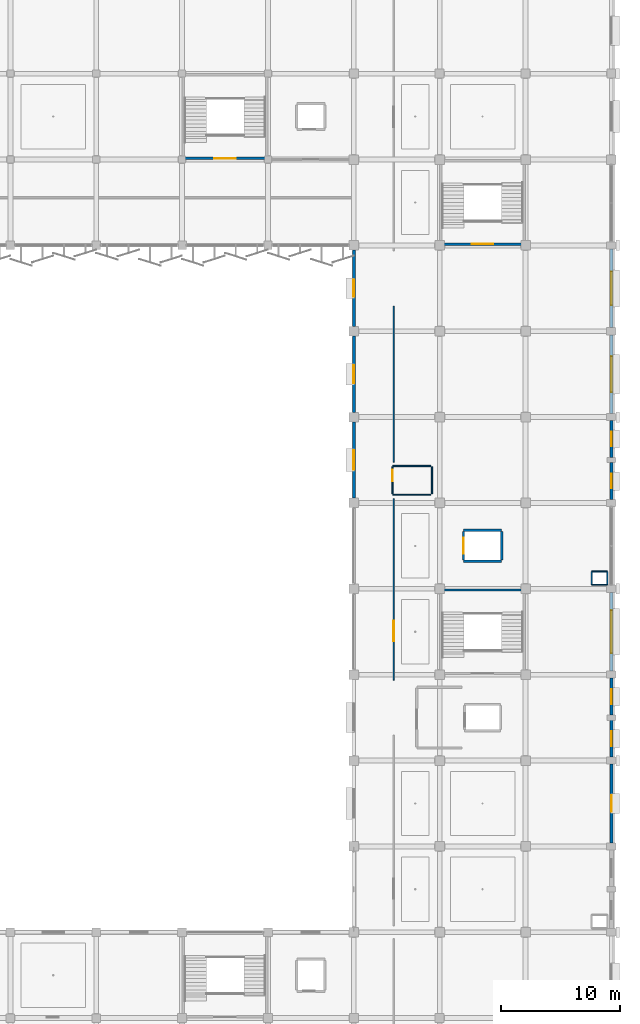
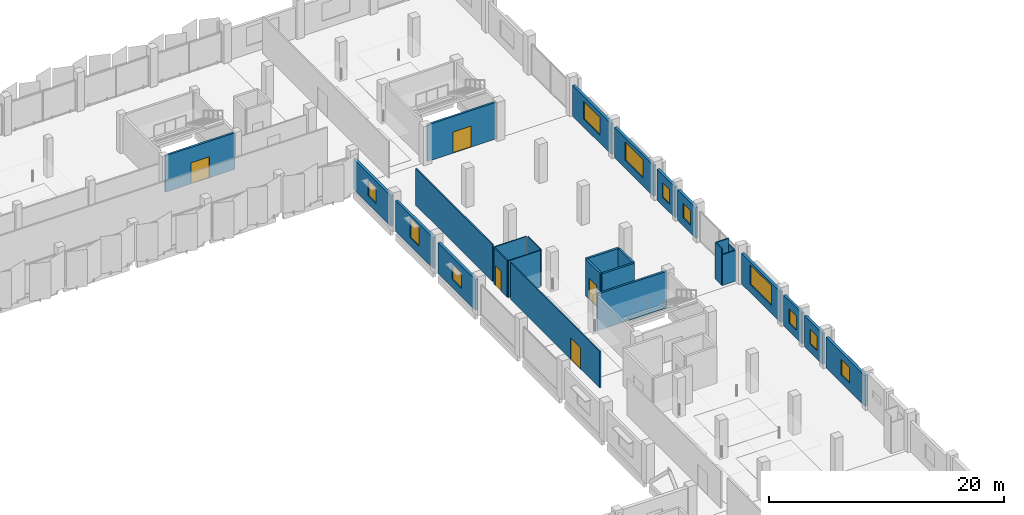
# One storey, part 84 of 107: 28 walls, 11 windows, 5 doors, 16 openings.
"""IFC4 building model written with IfcOpenShell, lengths in metres."""

from ifc_helpers import new_model, si_unit, direction, frame, frame_2d, origin, place, context, subcontext, project, spatial, rectangle, extrude, material, layer, layer_set, type_object, element, fill, save


model = new_model("IFC4")

# Units and contexts
model_context = context("Model", 3, precision=1e-05, world=origin(), true_north=direction((0.0, 1.0)))
body_context = subcontext(model_context, "Body", "Model", "MODEL_VIEW")
ifc_project = project(units=[si_unit("LENGTHUNIT", "METRE"), si_unit("AREAUNIT", "SQUARE_METRE"), si_unit("VOLUMEUNIT", "CUBIC_METRE"), si_unit("PLANEANGLEUNIT", "RADIAN"), si_unit("MASSUNIT", "GRAM", prefix="KILO")], contexts=[model_context])

# Site, building, storey
site_placement = place(None, origin())
site = spatial("IfcSite", under=ifc_project, at=site_placement, CompositionType="ELEMENT")
building_placement = place(site_placement, origin())
building = spatial("IfcBuilding", under=site, at=building_placement, Name="Kangsadwip Square Police Headquarters", CompositionType="ELEMENT")
storey_placement = place(building_placement, frame((0.0, 0.0, 5.39990234375)))
storey = spatial("IfcBuildingStorey", under=building, at=storey_placement, Name="L01", CompositionType="ELEMENT", Elevation=5.39990234375)

# Wall, opening, door
ifc_material_1 = material(Name="Fire-rated double gypsum board acoustic stud partition", Category="masonry")
ifc_layer_1 = layer(ifc_material_1, 0.1201171875)
ifc_layer_set_1 = layer_set([ifc_layer_1], Name="Fire-rated double gypsum board acoustic stud partition")
wall_type_1 = type_object("IfcWallType", Name="AcousticPartition120", PredefinedType="PARTITIONING", material=ifc_layer_set_1)
wall_1_placement = place(storey_placement, frame((147.35009765625, 57.14990234375, 0.0), z_axis=(0.0, 0.0, 1.0), x_axis=(0.0, 1.0, 0.0)))
wall_1 = element("IfcWall", 1, at=wall_1_placement, inside=storey, type_object=wall_type_1, Name="Interior Wall WI-L01-0742", PredefinedType="PARTITIONING", context=body_context, shape_type="SweptSolid", body=[
    extrude(rectangle(XDim=15.22021484375, YDim=0.1201171875, at=frame_2d((7.610107421875, 0.0))), origin(), (0.0, 0.0, 1.0), 3.81005859375),
])
opening_1_placement = place(wall_1_placement, frame((3.2548828125, 0.0, 0.0)))
opening_1 = element("IfcOpeningElement", 2, at=opening_1_placement, cuts=wall_1, Name="Opening ID-17", PredefinedType="OPENING", context=body_context, shape_type="SweptSolid", body=[
    extrude(rectangle(XDim=1.699951171875, YDim=2.199951171875, at=frame_2d((0.85009765625, 1.10009765625))), frame((0.0, 0.070068359375, 0.0), z_axis=(0.0, -1.0, 0.0), x_axis=(1.0, 0.0, 0.0)), (0.0, 0.0, 1.0), 0.14013671875),
])
ifc_material_2 = material(Name="Insulated galvanized steel fire-rated door assembly", Category="steel")
door_type_1 = type_object("IfcDoorType", Name="LabDoubleDoor1700x2200", OperationType="DOUBLE_DOOR_SINGLE_SWING", PredefinedType="DOOR", material=ifc_material_2)
door_1_placement = place(opening_1_placement, origin())
door_1 = element("IfcDoor", 3, at=door_1_placement, inside=storey, type_object=door_type_1, Name="Interior Door ID-L01-0171", OperationType="DOUBLE_DOOR_SINGLE_SWING", OverallHeight=2.199951171875, OverallWidth=1.699951171875, PredefinedType="DOOR", context=body_context, shape_type="SweptSolid", body=[
    extrude(rectangle(XDim=1.699951171875, YDim=2.199951171875, at=frame_2d((0.85009765625, 1.10009765625))), frame((0.0, 0.02490234375, 0.0), z_axis=(0.0, -1.0, 0.0), x_axis=(1.0, 0.0, 0.0)), (0.0, 0.0, 1.0), 0.050048828125),
])
fill(opening_1, door_1)

# Wall
wall_2_placement = place(storey_placement, frame((147.35009765625, 75.429931640625, 0.0), z_axis=(0.0, 0.0, 1.0), x_axis=(0.0, 1.0, 0.0)))
element("IfcWall", 4, at=wall_2_placement, inside=storey, type_object=wall_type_1, Name="Interior Wall WI-L01-0743", PredefinedType="PARTITIONING", context=body_context, shape_type="SweptSolid", body=[
    extrude(rectangle(XDim=13.070068359375, YDim=0.1201171875, at=frame_2d((6.53515625, 0.0))), origin(), (0.0, 0.0, 1.0), 3.81005859375),
])

# Wall, opening, window
ifc_material_3 = material(Name="Glazed architectural terracotta masonry rainscreen", Category="masonry")
ifc_layer_2 = layer(ifc_material_3, 0.25)
ifc_layer_set_2 = layer_set([ifc_layer_2], Name="Glazed architectural terracotta masonry rainscreen")
wall_type_2 = type_object("IfcWallType", Name="ChicagoTerracottaWall250", PredefinedType="SOLIDWALL", material=ifc_layer_set_2)
wall_3_placement = place(storey_placement, frame((144.0, 72.39501953125, 0.0), z_axis=(0.0, 0.0, 1.0), x_axis=(0.0, 1.0, 0.0)))
wall_3 = element("IfcWall", 5, at=wall_3_placement, inside=storey, type_object=wall_type_2, Name="Exterior Wall WE-L01-276", PredefinedType="SOLIDWALL", context=body_context, shape_type="SweptSolid", body=[
    extrude(rectangle(XDim=6.409912109375, YDim=0.25, at=frame_2d((3.205078125, 0.0))), origin(), (0.0, 0.0, 1.0), 3.195068359375),
])
opening_2_placement = place(wall_3_placement, frame((2.3798828125, 0.0, 0.85009765625)))
opening_2 = element("IfcOpeningElement", 6, at=opening_2_placement, cuts=wall_3, Name="Opening WN-11", PredefinedType="OPENING", context=body_context, shape_type="SweptSolid", body=[
    extrude(rectangle(XDim=1.64990234375, YDim=1.550048828125, at=frame_2d((0.824951171875, 0.77490234375))), frame((0.0, 0.135009765625, 0.0), z_axis=(0.0, -1.0, 0.0), x_axis=(1.0, 0.0, 0.0)), (0.0, 0.0, 1.0), 0.27001953125),
])
ifc_material_4 = material(Name="Double-glazed solar-control low-E safety glass", Category="glass")
window_type_1 = type_object("IfcWindowType", Name="LabCleanViewWin1650x1550", PartitioningType="SINGLE_PANEL", PredefinedType="WINDOW", material=ifc_material_4)
window_1_placement = place(opening_2_placement, origin())
window_1 = element("IfcWindow", 7, at=window_1_placement, inside=storey, type_object=window_type_1, Name="Window WN-L01-0129", OverallHeight=1.550048828125, OverallWidth=1.64990234375, PartitioningType="SINGLE_PANEL", PredefinedType="WINDOW", context=body_context, shape_type="SweptSolid", body=[
    extrude(rectangle(XDim=1.64990234375, YDim=1.550048828125, at=frame_2d((0.824951171875, 0.77490234375))), frame((0.0, 0.030029296875, 0.0), z_axis=(0.0, -1.0, 0.0), x_axis=(1.0, 0.0, 0.0)), (0.0, 0.0, 1.0), 0.06005859375),
])
fill(opening_2, window_1)

wall_4_placement = place(storey_placement, frame((144.0, 79.594970703125, 0.0), z_axis=(0.0, 0.0, 1.0), x_axis=(0.0, 1.0, 0.0)))
wall_4 = element("IfcWall", 8, at=wall_4_placement, inside=storey, type_object=wall_type_2, Name="Exterior Wall WE-L01-277", PredefinedType="SOLIDWALL", context=body_context, shape_type="SweptSolid", body=[
    extrude(rectangle(XDim=6.409912109375, YDim=0.25, at=frame_2d((3.205078125, 0.0))), origin(), (0.0, 0.0, 1.0), 3.195068359375),
])
opening_3_placement = place(wall_4_placement, frame((2.455078125, 0.0, 0.85009765625)))
opening_3 = element("IfcOpeningElement", 9, at=opening_3_placement, cuts=wall_4, Name="Opening WN-12", PredefinedType="OPENING", context=body_context, shape_type="SweptSolid", body=[
    extrude(rectangle(XDim=1.5, YDim=2.050048828125, at=frame_2d((0.75, 1.02490234375))), frame((0.0, 0.135009765625, 0.0), z_axis=(0.0, -1.0, 0.0), x_axis=(1.0, 0.0, 0.0)), (0.0, 0.0, 1.0), 0.27001953125),
])
ifc_material_5 = material(Name="Double-glazed solar-control low-E safety glass", Category="glass")
window_type_2 = type_object("IfcWindowType", Name="DirectorateTallWin1500x2050", PartitioningType="SINGLE_PANEL", PredefinedType="WINDOW", material=ifc_material_5)
window_2_placement = place(opening_3_placement, origin())
window_2 = element("IfcWindow", 10, at=window_2_placement, inside=storey, type_object=window_type_2, Name="Window WN-L01-0130", OverallHeight=2.050048828125, OverallWidth=1.5, PartitioningType="SINGLE_PANEL", PredefinedType="WINDOW", context=body_context, shape_type="SweptSolid", body=[
    extrude(rectangle(XDim=1.5, YDim=2.050048828125, at=frame_2d((0.75, 1.02490234375))), frame((0.0, 0.030029296875, 0.0), z_axis=(0.0, -1.0, 0.0), x_axis=(1.0, 0.0, 0.0)), (0.0, 0.0, 1.0), 0.06005859375),
])
fill(opening_3, window_2)

wall_5_placement = place(storey_placement, frame((144.0, 86.794921875, 0.0), z_axis=(0.0, 0.0, 1.0), x_axis=(0.0, 1.0, 0.0)))
wall_5 = element("IfcWall", 11, at=wall_5_placement, inside=storey, type_object=wall_type_2, Name="Exterior Wall WE-L01-278", PredefinedType="SOLIDWALL", context=body_context, shape_type="SweptSolid", body=[
    extrude(rectangle(XDim=6.41015625, YDim=0.25, at=frame_2d((3.205078125, 0.0))), origin(), (0.0, 0.0, 1.0), 3.195068359375),
])
opening_4_placement = place(wall_5_placement, frame((2.5048828125, 0.0, 0.85009765625)))
opening_4 = element("IfcOpeningElement", 12, at=opening_4_placement, cuts=wall_5, Name="Opening WN-13", PredefinedType="OPENING", context=body_context, shape_type="SweptSolid", body=[
    extrude(rectangle(XDim=1.39990234375, YDim=1.60009765625, at=frame_2d((0.699951171875, 0.800048828125))), frame((0.0, 0.135009765625, 0.0), z_axis=(0.0, -1.0, 0.0), x_axis=(1.0, 0.0, 0.0)), (0.0, 0.0, 1.0), 0.27001953125),
])
ifc_material_6 = material(Name="Double-glazed solar-control low-E safety glass", Category="glass")
window_type_3 = type_object("IfcWindowType", Name="OfficeCasementWin1400x1600", PartitioningType="SINGLE_PANEL", PredefinedType="WINDOW", material=ifc_material_6)
window_3_placement = place(opening_4_placement, origin())
window_3 = element("IfcWindow", 13, at=window_3_placement, inside=storey, type_object=window_type_3, Name="Window WN-L01-0131", OverallHeight=1.60009765625, OverallWidth=1.39990234375, PartitioningType="SINGLE_PANEL", PredefinedType="WINDOW", context=body_context, shape_type="SweptSolid", body=[
    extrude(rectangle(XDim=1.39990234375, YDim=1.60009765625, at=frame_2d((0.699951171875, 0.800048828125))), frame((0.0, 0.030029296875, 0.0), z_axis=(0.0, -1.0, 0.0), x_axis=(1.0, 0.0, 0.0)), (0.0, 0.0, 1.0), 0.06005859375),
])
fill(opening_4, window_3)

wall_6_placement = place(storey_placement, frame((165.60009765625, 43.4951171875, 0.0), z_axis=(0.0, 0.0, 1.0), x_axis=(0.0, 1.0, 0.0)))
wall_6 = element("IfcWall", 14, at=wall_6_placement, inside=storey, type_object=wall_type_2, Name="Exterior Wall WE-L01-283", PredefinedType="SOLIDWALL", context=body_context, shape_type="SweptSolid", body=[
    extrude(rectangle(XDim=6.60986328125, YDim=0.25, at=frame_2d((3.304931640625, 0.0))), origin(), (0.0, 0.0, 1.0), 3.195068359375),
])
opening_5_placement = place(wall_6_placement, frame((2.60498046875, 0.0, 0.85009765625)))
opening_5 = element("IfcOpeningElement", 15, at=opening_5_placement, cuts=wall_6, Name="Opening WN-13", PredefinedType="OPENING", context=body_context, shape_type="SweptSolid", body=[
    extrude(rectangle(XDim=1.39990234375, YDim=1.60009765625, at=frame_2d((0.699951171875, 0.800048828125))), frame((0.0, 0.135009765625, 0.0), z_axis=(0.0, -1.0, 0.0), x_axis=(1.0, 0.0, 0.0)), (0.0, 0.0, 1.0), 0.27001953125),
])
window_4_placement = place(opening_5_placement, origin())
window_4 = element("IfcWindow", 16, at=window_4_placement, inside=storey, type_object=window_type_3, Name="Window WN-L01-0136", OverallHeight=1.60009765625, OverallWidth=1.39990234375, PartitioningType="SINGLE_PANEL", PredefinedType="WINDOW", context=body_context, shape_type="SweptSolid", body=[
    extrude(rectangle(XDim=1.39990234375, YDim=1.60009765625, at=frame_2d((0.699951171875, 0.800048828125))), frame((0.0, 0.030029296875, 0.0), z_axis=(0.0, -1.0, 0.0), x_axis=(1.0, 0.0, 0.0)), (0.0, 0.0, 1.0), 0.06005859375),
])
fill(opening_5, window_4)

wall_7_placement = place(storey_placement, frame((165.60009765625, 50.695068359375, 0.0), z_axis=(0.0, 0.0, 1.0), x_axis=(0.0, 1.0, 0.0)))
wall_7 = element("IfcWall", 17, at=wall_7_placement, inside=storey, type_object=wall_type_2, Name="Exterior Wall WE-L01-284", PredefinedType="SOLIDWALL", context=body_context, shape_type="SweptSolid", body=[
    extrude(rectangle(XDim=3.0849609375, YDim=0.25, at=frame_2d((1.54248046875, 0.0))), origin(), (0.0, 0.0, 1.0), 3.195068359375),
])
opening_6_placement = place(wall_7_placement, frame((0.91748046875, 0.0, 0.85009765625)))
opening_6 = element("IfcOpeningElement", 18, at=opening_6_placement, cuts=wall_7, Name="Opening WN-14", PredefinedType="OPENING", context=body_context, shape_type="SweptSolid", body=[
    extrude(rectangle(XDim=1.25, YDim=1.5, at=frame_2d((0.625, 0.75))), frame((0.0, 0.135009765625, 0.0), z_axis=(0.0, -1.0, 0.0), x_axis=(1.0, 0.0, 0.0)), (0.0, 0.0, 1.0), 0.27001953125),
])
ifc_material_7 = material(Name="Double-glazed solar-control low-E safety glass", Category="glass")
window_type_4 = type_object("IfcWindowType", Name="OfficeCasementWin1250x1500", PartitioningType="SINGLE_PANEL", PredefinedType="WINDOW", material=ifc_material_7)
window_5_placement = place(opening_6_placement, origin())
window_5 = element("IfcWindow", 19, at=window_5_placement, inside=storey, type_object=window_type_4, Name="Window WN-L01-0137", OverallHeight=1.5, OverallWidth=1.25, PartitioningType="SINGLE_PANEL", PredefinedType="WINDOW", context=body_context, shape_type="SweptSolid", body=[
    extrude(rectangle(XDim=1.25, YDim=1.5, at=frame_2d((0.625, 0.75))), frame((0.0, 0.030029296875, 0.0), z_axis=(0.0, -1.0, 0.0), x_axis=(1.0, 0.0, 0.0)), (0.0, 0.0, 1.0), 0.06005859375),
])
fill(opening_6, window_5)

wall_8_placement = place(storey_placement, frame((165.60009765625, 54.219970703125, 0.0), z_axis=(0.0, 0.0, 1.0), x_axis=(0.0, 1.0, 0.0)))
wall_8 = element("IfcWall", 20, at=wall_8_placement, inside=storey, type_object=wall_type_2, Name="Exterior Wall WE-L01-285", PredefinedType="SOLIDWALL", context=body_context, shape_type="SweptSolid", body=[
    extrude(rectangle(XDim=3.0849609375, YDim=0.25, at=frame_2d((1.54248046875, 0.0))), origin(), (0.0, 0.0, 1.0), 3.195068359375),
])
opening_7_placement = place(wall_8_placement, frame((0.91748046875, 0.0, 0.85009765625)))
opening_7 = element("IfcOpeningElement", 21, at=opening_7_placement, cuts=wall_8, Name="Opening WN-14", PredefinedType="OPENING", context=body_context, shape_type="SweptSolid", body=[
    extrude(rectangle(XDim=1.25, YDim=1.5, at=frame_2d((0.625, 0.75))), frame((0.0, 0.135009765625, 0.0), z_axis=(0.0, -1.0, 0.0), x_axis=(1.0, 0.0, 0.0)), (0.0, 0.0, 1.0), 0.27001953125),
])
window_6_placement = place(opening_7_placement, origin())
window_6 = element("IfcWindow", 22, at=window_6_placement, inside=storey, type_object=window_type_4, Name="Window WN-L01-0138", OverallHeight=1.5, OverallWidth=1.25, PartitioningType="SINGLE_PANEL", PredefinedType="WINDOW", context=body_context, shape_type="SweptSolid", body=[
    extrude(rectangle(XDim=1.25, YDim=1.5, at=frame_2d((0.625, 0.75))), frame((0.0, 0.030029296875, 0.0), z_axis=(0.0, -1.0, 0.0), x_axis=(1.0, 0.0, 0.0)), (0.0, 0.0, 1.0), 0.06005859375),
])
fill(opening_7, window_6)

wall_9_placement = place(storey_placement, frame((165.60009765625, 57.89501953125, 0.0), z_axis=(0.0, 0.0, 1.0), x_axis=(0.0, 1.0, 0.0)))
wall_9 = element("IfcWall", 23, at=wall_9_placement, inside=storey, type_object=wall_type_2, Name="Exterior Wall WE-L01-286", PredefinedType="SOLIDWALL", context=body_context, shape_type="SweptSolid", body=[
    extrude(rectangle(XDim=6.60986328125, YDim=0.25, at=frame_2d((3.304931640625, 0.0))), origin(), (0.0, 0.0, 1.0), 3.195068359375),
])
opening_8_placement = place(wall_9_placement, frame((1.5048828125, 0.0, 0.85009765625)))
opening_8 = element("IfcOpeningElement", 24, at=opening_8_placement, cuts=wall_9, Name="Opening WN-01", PredefinedType="OPENING", context=body_context, shape_type="SweptSolid", body=[
    extrude(rectangle(XDim=3.60009765625, YDim=2.050048828125, at=frame_2d((1.800048828125, 1.02490234375))), frame((0.0, 0.135009765625, 0.0), z_axis=(0.0, -1.0, 0.0), x_axis=(1.0, 0.0, 0.0)), (0.0, 0.0, 1.0), 0.27001953125),
])
ifc_material_8 = material(Name="Double-glazed solar-control low-E safety glass", Category="glass")
window_type_5 = type_object("IfcWindowType", Name="ChicagoTripartiteWin3600x2050", PartitioningType="TRIPLE_PANEL_HORIZONTAL", PredefinedType="WINDOW", material=ifc_material_8)
window_7_placement = place(opening_8_placement, origin())
window_7 = element("IfcWindow", 25, at=window_7_placement, inside=storey, type_object=window_type_5, Name="Window WN-L01-0139", OverallHeight=2.050048828125, OverallWidth=3.60009765625, PartitioningType="SINGLE_PANEL", PredefinedType="WINDOW", context=body_context, shape_type="SweptSolid", body=[
    extrude(rectangle(XDim=3.60009765625, YDim=2.050048828125, at=frame_2d((1.800048828125, 1.02490234375))), frame((0.0, 0.030029296875, 0.0), z_axis=(0.0, -1.0, 0.0), x_axis=(1.0, 0.0, 0.0)), (0.0, 0.0, 1.0), 0.06005859375),
])
fill(opening_8, window_7)

wall_10_placement = place(storey_placement, frame((165.60009765625, 72.294921875, 0.0), z_axis=(0.0, 0.0, 1.0), x_axis=(0.0, 1.0, 0.0)))
wall_10 = element("IfcWall", 26, at=wall_10_placement, inside=storey, type_object=wall_type_2, Name="Exterior Wall WE-L01-287", PredefinedType="SOLIDWALL", context=body_context, shape_type="SweptSolid", body=[
    extrude(rectangle(XDim=3.0849609375, YDim=0.25, at=frame_2d((1.54248046875, 0.0))), origin(), (0.0, 0.0, 1.0), 3.195068359375),
])
opening_9_placement = place(wall_10_placement, frame((0.91748046875, 0.0, 0.85009765625)))
opening_9 = element("IfcOpeningElement", 27, at=opening_9_placement, cuts=wall_10, Name="Opening WN-14", PredefinedType="OPENING", context=body_context, shape_type="SweptSolid", body=[
    extrude(rectangle(XDim=1.25, YDim=1.5, at=frame_2d((0.625, 0.75))), frame((0.0, 0.135009765625, 0.0), z_axis=(0.0, -1.0, 0.0), x_axis=(1.0, 0.0, 0.0)), (0.0, 0.0, 1.0), 0.27001953125),
])
window_8_placement = place(opening_9_placement, origin())
window_8 = element("IfcWindow", 28, at=window_8_placement, inside=storey, type_object=window_type_4, Name="Window WN-L01-0140", OverallHeight=1.5, OverallWidth=1.25, PartitioningType="SINGLE_PANEL", PredefinedType="WINDOW", context=body_context, shape_type="SweptSolid", body=[
    extrude(rectangle(XDim=1.25, YDim=1.5, at=frame_2d((0.625, 0.75))), frame((0.0, 0.030029296875, 0.0), z_axis=(0.0, -1.0, 0.0), x_axis=(1.0, 0.0, 0.0)), (0.0, 0.0, 1.0), 0.06005859375),
])
fill(opening_9, window_8)

wall_11_placement = place(storey_placement, frame((165.60009765625, 75.820068359375, 0.0), z_axis=(0.0, 0.0, 1.0), x_axis=(0.0, 1.0, 0.0)))
wall_11 = element("IfcWall", 29, at=wall_11_placement, inside=storey, type_object=wall_type_2, Name="Exterior Wall WE-L01-288", PredefinedType="SOLIDWALL", context=body_context, shape_type="SweptSolid", body=[
    extrude(rectangle(XDim=3.0849609375, YDim=0.25, at=frame_2d((1.54248046875, 0.0))), origin(), (0.0, 0.0, 1.0), 3.195068359375),
])
opening_10_placement = place(wall_11_placement, frame((0.91748046875, 0.0, 0.85009765625)))
opening_10 = element("IfcOpeningElement", 30, at=opening_10_placement, cuts=wall_11, Name="Opening WN-14", PredefinedType="OPENING", context=body_context, shape_type="SweptSolid", body=[
    extrude(rectangle(XDim=1.25, YDim=1.5, at=frame_2d((0.625, 0.75))), frame((0.0, 0.135009765625, 0.0), z_axis=(0.0, -1.0, 0.0), x_axis=(1.0, 0.0, 0.0)), (0.0, 0.0, 1.0), 0.27001953125),
])
window_9_placement = place(opening_10_placement, origin())
window_9 = element("IfcWindow", 31, at=window_9_placement, inside=storey, type_object=window_type_4, Name="Window WN-L01-0141", OverallHeight=1.5, OverallWidth=1.25, PartitioningType="SINGLE_PANEL", PredefinedType="WINDOW", context=body_context, shape_type="SweptSolid", body=[
    extrude(rectangle(XDim=1.25, YDim=1.5, at=frame_2d((0.625, 0.75))), frame((0.0, 0.030029296875, 0.0), z_axis=(0.0, -1.0, 0.0), x_axis=(1.0, 0.0, 0.0)), (0.0, 0.0, 1.0), 0.06005859375),
])
fill(opening_10, window_9)

wall_12_placement = place(storey_placement, frame((165.60009765625, 79.4951171875, 0.0), z_axis=(0.0, 0.0, 1.0), x_axis=(0.0, 1.0, 0.0)))
wall_12 = element("IfcWall", 32, at=wall_12_placement, inside=storey, type_object=wall_type_2, Name="Exterior Wall WE-L01-289", PredefinedType="SOLIDWALL", context=body_context, shape_type="SweptSolid", body=[
    extrude(rectangle(XDim=6.60986328125, YDim=0.25, at=frame_2d((3.304931640625, 0.0))), origin(), (0.0, 0.0, 1.0), 3.195068359375),
])
opening_11_placement = place(wall_12_placement, frame((1.804931640625, 0.0, 0.85009765625)))
opening_11 = element("IfcOpeningElement", 33, at=opening_11_placement, cuts=wall_12, Name="Opening WN-04", PredefinedType="OPENING", context=body_context, shape_type="SweptSolid", body=[
    extrude(rectangle(XDim=3.0, YDim=1.89990234375, at=frame_2d((1.5, 0.949951171875))), frame((0.0, 0.135009765625, 0.0), z_axis=(0.0, -1.0, 0.0), x_axis=(1.0, 0.0, 0.0)), (0.0, 0.0, 1.0), 0.27001953125),
])
ifc_material_9 = material(Name="Double-glazed solar-control low-E safety glass", Category="glass")
window_type_6 = type_object("IfcWindowType", Name="ChicagoTripartiteWin3000x1900", PartitioningType="TRIPLE_PANEL_HORIZONTAL", PredefinedType="WINDOW", material=ifc_material_9)
window_10_placement = place(opening_11_placement, origin())
window_10 = element("IfcWindow", 34, at=window_10_placement, inside=storey, type_object=window_type_6, Name="Window WN-L01-0142", OverallHeight=1.89990234375, OverallWidth=3.0, PartitioningType="SINGLE_PANEL", PredefinedType="WINDOW", context=body_context, shape_type="SweptSolid", body=[
    extrude(rectangle(XDim=3.0, YDim=1.89990234375, at=frame_2d((1.5, 0.949951171875))), frame((0.0, 0.030029296875, 0.0), z_axis=(0.0, -1.0, 0.0), x_axis=(1.0, 0.0, 0.0)), (0.0, 0.0, 1.0), 0.06005859375),
])
fill(opening_11, window_10)

wall_13_placement = place(storey_placement, frame((165.60009765625, 86.695068359375, 0.0), z_axis=(0.0, 0.0, 1.0), x_axis=(0.0, 1.0, 0.0)))
wall_13 = element("IfcWall", 35, at=wall_13_placement, inside=storey, type_object=wall_type_2, Name="Exterior Wall WE-L01-290", PredefinedType="SOLIDWALL", context=body_context, shape_type="SweptSolid", body=[
    extrude(rectangle(XDim=6.60986328125, YDim=0.25, at=frame_2d((3.304931640625, 0.0))), origin(), (0.0, 0.0, 1.0), 3.195068359375),
])
opening_12_placement = place(wall_13_placement, frame((1.905029296875, 0.0, 0.85009765625)))
opening_12 = element("IfcOpeningElement", 36, at=opening_12_placement, cuts=wall_13, Name="Opening WN-05", PredefinedType="OPENING", context=body_context, shape_type="SweptSolid", body=[
    extrude(rectangle(XDim=2.800048828125, YDim=1.85009765625, at=frame_2d((1.39990234375, 0.925048828125))), frame((0.0, 0.135009765625, 0.0), z_axis=(0.0, -1.0, 0.0), x_axis=(1.0, 0.0, 0.0)), (0.0, 0.0, 1.0), 0.27001953125),
])
ifc_material_10 = material(Name="Double-glazed solar-control low-E safety glass", Category="glass")
window_type_7 = type_object("IfcWindowType", Name="ChicagoDoubleMullWin2800x1850", PartitioningType="DOUBLE_PANEL_VERTICAL", PredefinedType="WINDOW", material=ifc_material_10)
window_11_placement = place(opening_12_placement, origin())
window_11 = element("IfcWindow", 37, at=window_11_placement, inside=storey, type_object=window_type_7, Name="Window WN-L01-0143", OverallHeight=1.85009765625, OverallWidth=2.800048828125, PartitioningType="SINGLE_PANEL", PredefinedType="WINDOW", context=body_context, shape_type="SweptSolid", body=[
    extrude(rectangle(XDim=2.800048828125, YDim=1.85009765625, at=frame_2d((1.39990234375, 0.925048828125))), frame((0.0, 0.030029296875, 0.0), z_axis=(0.0, -1.0, 0.0), x_axis=(1.0, 0.0, 0.0)), (0.0, 0.0, 1.0), 0.06005859375),
])
fill(opening_12, window_11)

# Wall
ifc_material_11 = material(Name="Concrete M40 (40 MPa)", Category="concrete")
ifc_layer_3 = layer(ifc_material_11, 0.199951171875)
ifc_layer_set_3 = layer_set([ifc_layer_3], Name="Concrete M40 (40 MPa)")
wall_type_3 = type_object("IfcWallType", Name="CoreShearWall200", PredefinedType="SHEAR", material=ifc_layer_set_3)
wall_14_placement = place(storey_placement, frame((151.39990234375, 64.699951171875, 0.0), z_axis=(0.0, 0.0, 1.0), x_axis=(1.0, 0.0, 0.0)))
element("IfcWall", 38, at=wall_14_placement, inside=storey, type_object=wall_type_3, Name="Interior Wall WI-L01-0098", PredefinedType="SHEAR", context=body_context, shape_type="SweptSolid", body=[
    extrude(rectangle(XDim=6.800048828125, YDim=0.199951171875, at=frame_2d((3.39990234375, 0.0))), origin(), (0.0, 0.0, 1.0), 3.81005859375),
])

# Wall, opening, door
wall_15_placement = place(storey_placement, frame((151.39990234375, 93.699951171875, 0.0), z_axis=(0.0, 0.0, 1.0), x_axis=(1.0, 0.0, 0.0)))
wall_15 = element("IfcWall", 39, at=wall_15_placement, inside=storey, type_object=wall_type_3, Name="Interior Wall WI-L01-0133", PredefinedType="SHEAR", context=body_context, shape_type="SweptSolid", body=[
    extrude(rectangle(XDim=6.800048828125, YDim=0.199951171875, at=frame_2d((3.39990234375, 0.0))), origin(), (0.0, 0.0, 1.0), 3.81005859375),
])
opening_13_placement = place(wall_15_placement, frame((2.5, 0.0, 0.0)))
opening_13 = element("IfcOpeningElement", 40, at=opening_13_placement, cuts=wall_15, Name="Opening FD-18", PredefinedType="OPENING", context=body_context, shape_type="SweptSolid", body=[
    extrude(rectangle(XDim=1.800048828125, YDim=2.199951171875, at=frame_2d((0.89990234375, 1.10009765625))), frame((0.0, 0.10986328125, 0.0), z_axis=(0.0, -1.0, 0.0), x_axis=(1.0, 0.0, 0.0)), (0.0, 0.0, 1.0), 0.219970703125),
])
ifc_material_12 = material(Name="Insulated galvanized steel fire-rated door assembly", Category="steel")
door_type_2 = type_object("IfcDoorType", Name="StairFireDoor1800x2200", OperationType="DOUBLE_DOOR_SINGLE_SWING", PredefinedType="DOOR", material=ifc_material_12)
door_2_placement = place(opening_13_placement, origin())
door_2 = element("IfcDoor", 41, at=door_2_placement, inside=storey, type_object=door_type_2, Name="Interior Door ID-L01-0030", OperationType="DOUBLE_DOOR_SINGLE_SWING", OverallHeight=2.199951171875, OverallWidth=1.800048828125, PredefinedType="DOOR", context=body_context, shape_type="SweptSolid", body=[
    extrude(rectangle(XDim=1.800048828125, YDim=2.199951171875, at=frame_2d((0.89990234375, 1.10009765625))), frame((0.0, 0.02490234375, 0.0), z_axis=(0.0, -1.0, 0.0), x_axis=(1.0, 0.0, 0.0)), (0.0, 0.0, 1.0), 0.050048828125),
])
fill(opening_13, door_2)

wall_16_placement = place(storey_placement, frame((129.800048828125, 100.89990234375, 0.0), z_axis=(0.0, 0.0, 1.0), x_axis=(1.0, 0.0, 0.0)))
wall_16 = element("IfcWall", 42, at=wall_16_placement, inside=storey, type_object=wall_type_3, Name="Interior Wall WI-L01-0161", PredefinedType="SHEAR", context=body_context, shape_type="SweptSolid", body=[
    extrude(rectangle(XDim=6.800048828125, YDim=0.199951171875, at=frame_2d((3.39990234375, 0.0))), origin(), (0.0, 0.0, 1.0), 3.81005859375),
])
opening_14_placement = place(wall_16_placement, frame((2.5, 0.0, 0.0)))
opening_14 = element("IfcOpeningElement", 43, at=opening_14_placement, cuts=wall_16, Name="Opening FD-18", PredefinedType="OPENING", context=body_context, shape_type="SweptSolid", body=[
    extrude(rectangle(XDim=1.800048828125, YDim=2.199951171875, at=frame_2d((0.89990234375, 1.10009765625))), frame((0.0, 0.10986328125, 0.0), z_axis=(0.0, -1.0, 0.0), x_axis=(1.0, 0.0, 0.0)), (0.0, 0.0, 1.0), 0.219970703125),
])
door_3_placement = place(opening_14_placement, origin())
door_3 = element("IfcDoor", 44, at=door_3_placement, inside=storey, type_object=door_type_2, Name="Interior Door ID-L01-0036", OperationType="DOUBLE_DOOR_SINGLE_SWING", OverallHeight=2.199951171875, OverallWidth=1.800048828125, PredefinedType="DOOR", context=body_context, shape_type="SweptSolid", body=[
    extrude(rectangle(XDim=1.800048828125, YDim=2.199951171875, at=frame_2d((0.89990234375, 1.10009765625))), frame((0.0, 0.02490234375, 0.0), z_axis=(0.0, -1.0, 0.0), x_axis=(1.0, 0.0, 0.0)), (0.0, 0.0, 1.0), 0.050048828125),
])
fill(opening_14, door_3)

# Walls
for number, where, z_axis, x_axis, name in (
    (45, (153.199951171875, 67.10009765625, 0.0), (0.0, 0.0, 1.0), (1.0, 0.0, 0.0), "Interior Wall WI-L01-0435"),
    (46, (153.199951171875, 69.699951171875, 0.0), (0.0, 0.0, 1.0), (1.0, 0.0, 0.0), "Interior Wall WI-L01-0436"),
):
    element("IfcWall", number, at=place(storey_placement, frame(where, z_axis=z_axis, x_axis=x_axis)), inside=storey, type_object=wall_type_3, Name=name, PredefinedType="SHEAR", context=body_context, shape_type="SweptSolid", body=[
        extrude(rectangle(XDim=3.199951171875, YDim=0.199951171875, at=frame_2d((1.60009765625, 0.0))), origin(), (0.0, 0.0, 1.0), 3.81005859375),
    ])

# Wall, opening, door
wall_17_placement = place(storey_placement, frame((153.199951171875, 67.199951171875, 0.0), z_axis=(0.0, 0.0, 1.0), x_axis=(0.0, 1.0, 0.0)))
wall_17 = element("IfcWall", 47, at=wall_17_placement, inside=storey, type_object=wall_type_3, Name="Interior Wall WI-L01-0437", PredefinedType="SHEAR", context=body_context, shape_type="SweptSolid", body=[
    extrude(rectangle(XDim=2.400146484375, YDim=0.199951171875, at=frame_2d((1.2001953125, 0.0))), origin(), (0.0, 0.0, 1.0), 3.81005859375),
])
opening_15_placement = place(wall_17_placement, frame((0.52490234375, 0.0, 0.0)))
opening_15 = element("IfcOpeningElement", 48, at=opening_15_placement, cuts=wall_17, Name="Opening LD-047", PredefinedType="OPENING", context=body_context, shape_type="SweptSolid", body=[
    extrude(rectangle(XDim=1.35009765625, YDim=2.199951171875, at=frame_2d((0.675048828125, 1.10009765625))), frame((0.0, 0.10986328125, 0.0), z_axis=(0.0, -1.0, 0.0), x_axis=(1.0, 0.0, 0.0)), (0.0, 0.0, 1.0), 0.219970703125),
])
ifc_material_13 = material(Name="Brushed stainless steel automatic sliding lift landing door", Category="steel")
door_type_3 = type_object("IfcDoorType", Name="LiftLandingDoor1350x2200", OperationType="DOUBLE_DOOR_SLIDING", PredefinedType="DOOR", material=ifc_material_13)
door_4_placement = place(opening_15_placement, origin())
door_4 = element("IfcDoor", 49, at=door_4_placement, inside=storey, type_object=door_type_3, Name="Interior Door LD-047", OperationType="DOUBLE_DOOR_SLIDING", OverallHeight=2.199951171875, OverallWidth=1.35009765625, PredefinedType="DOOR", context=body_context, shape_type="SweptSolid", body=[
    extrude(rectangle(XDim=1.35009765625, YDim=2.199951171875, at=frame_2d((0.675048828125, 1.10009765625))), frame((0.0, 0.02490234375, 0.0), z_axis=(0.0, -1.0, 0.0), x_axis=(1.0, 0.0, 0.0)), (0.0, 0.0, 1.0), 0.050048828125),
])
fill(opening_15, door_4)

# Walls
wall_18_placement = place(storey_placement, frame((156.39990234375, 67.199951171875, 0.0), z_axis=(0.0, 0.0, 1.0), x_axis=(0.0, 1.0, 0.0)))
element("IfcWall", 50, at=wall_18_placement, inside=storey, type_object=wall_type_3, Name="Interior Wall WI-L01-0438", PredefinedType="SHEAR", context=body_context, shape_type="SweptSolid", body=[
    extrude(rectangle(XDim=2.400146484375, YDim=0.199951171875, at=frame_2d((1.2001953125, 0.0))), origin(), (0.0, 0.0, 1.0), 3.81005859375),
])
ifc_material_14 = material(Name="Autoclaved aerated concrete blockwork masonry", Category="masonry")
ifc_layer_4 = layer(ifc_material_14, 0.10009765625)
ifc_layer_set_4 = layer_set([ifc_layer_4], Name="Autoclaved aerated concrete blockwork masonry")
wall_type_4 = type_object("IfcWallType", Name="WetWallPartition100", PredefinedType="PARTITIONING", material=ifc_layer_set_4)
wall_19_placement = place(storey_placement, frame((163.949951171875, 65.14990234375, 0.0), z_axis=(0.0, 0.0, 1.0), x_axis=(1.0, 0.0, 0.0)))
element("IfcWall", 51, at=wall_19_placement, inside=storey, type_object=wall_type_4, Name="Interior Wall WI-L01-0611", PredefinedType="PARTITIONING", context=body_context, shape_type="SweptSolid", body=[
    extrude(rectangle(XDim=1.300048828125, YDim=0.10009765625, at=frame_2d((0.64990234375, 0.0))), origin(), (0.0, 0.0, 1.0), 3.2001953125),
])
wall_20_placement = place(storey_placement, frame((163.949951171875, 66.25, 0.0), z_axis=(0.0, 0.0, 1.0), x_axis=(1.0, 0.0, 0.0)))
element("IfcWall", 52, at=wall_20_placement, inside=storey, type_object=wall_type_4, Name="Interior Wall WI-L01-0612", PredefinedType="PARTITIONING", context=body_context, shape_type="SweptSolid", body=[
    extrude(rectangle(XDim=1.300048828125, YDim=0.10009765625, at=frame_2d((0.64990234375, 0.0))), origin(), (0.0, 0.0, 1.0), 3.81005859375),
])
wall_21_placement = place(storey_placement, frame((163.949951171875, 65.14990234375, 0.0), z_axis=(0.0, 0.0, 1.0), x_axis=(0.0, 1.0, 0.0)))
element("IfcWall", 53, at=wall_21_placement, inside=storey, type_object=wall_type_4, Name="Interior Wall WI-L01-0613", PredefinedType="PARTITIONING", context=body_context, shape_type="SweptSolid", body=[
    extrude(rectangle(XDim=1.10009765625, YDim=0.10009765625, at=frame_2d((0.550048828125, 0.0))), origin(), (0.0, 0.0, 1.0), 3.81005859375),
])
wall_22_placement = place(storey_placement, frame((165.25, 65.14990234375, 0.0), z_axis=(0.0, 0.0, 1.0), x_axis=(0.0, 1.0, 0.0)))
element("IfcWall", 54, at=wall_22_placement, inside=storey, type_object=wall_type_4, Name="Interior Wall WI-L01-0614", PredefinedType="PARTITIONING", context=body_context, shape_type="SweptSolid", body=[
    extrude(rectangle(XDim=1.10009765625, YDim=0.10009765625, at=frame_2d((0.550048828125, 0.0))), origin(), (0.0, 0.0, 1.0), 3.2001953125),
])

# Wall, opening, door
wall_23_placement = place(storey_placement, frame((147.25, 72.780029296875, 0.0), z_axis=(0.0, 0.0, 1.0), x_axis=(0.0, 1.0, 0.0)))
wall_23 = element("IfcWall", 55, at=wall_23_placement, inside=storey, type_object=wall_type_4, Name="Interior Wall WI-L01-0726", PredefinedType="PARTITIONING", context=body_context, shape_type="SweptSolid", body=[
    extrude(rectangle(XDim=2.239990234375, YDim=0.10009765625, at=frame_2d((1.1201171875, 0.0))), origin(), (0.0, 0.0, 1.0), 3.81005859375),
])
opening_16_placement = place(wall_23_placement, frame((1.0400390625, 0.0, 0.0)))
opening_16 = element("IfcOpeningElement", 56, at=opening_16_placement, cuts=wall_23, Name="Opening WD-09A", PredefinedType="OPENING", context=body_context, shape_type="SweptSolid", body=[
    extrude(rectangle(XDim=0.949951171875, YDim=2.10009765625, at=frame_2d((0.47509765625, 1.050048828125))), frame((0.0, 0.06005859375, 0.0), z_axis=(0.0, -1.0, 0.0), x_axis=(1.0, 0.0, 0.0)), (0.0, 0.0, 1.0), 0.1201171875),
])
ifc_material_15 = material(Name="Solid-core seasoned teak hardwood architectural door", Category="wood")
door_type_4 = type_object("IfcDoorType", Name="AccessibleWcDoor950x2100", OperationType="NOTDEFINED", PredefinedType="DOOR", material=ifc_material_15)
door_5_placement = place(opening_16_placement, origin())
door_5 = element("IfcDoor", 57, at=door_5_placement, inside=storey, type_object=door_type_4, Name="Interior Door ID-L01-0159", OperationType="SINGLE_SWING_RIGHT", OverallHeight=2.10009765625, OverallWidth=0.949951171875, PredefinedType="DOOR", context=body_context, shape_type="SweptSolid", body=[
    extrude(rectangle(XDim=0.949951171875, YDim=2.10009765625, at=frame_2d((0.47509765625, 1.050048828125))), frame((0.0, 0.02490234375, 0.0), z_axis=(0.0, -1.0, 0.0), x_axis=(1.0, 0.0, 0.0)), (0.0, 0.0, 1.0), 0.050048828125),
])
fill(opening_16, door_5)

# Walls
for number, where, z_axis, x_axis, name in (
    (58, (147.25, 72.699951171875, 0.0), (0.0, 0.0, 1.0), (1.0, 0.0, 0.0), "Interior Wall WI-L01-0727"),
    (59, (147.25, 75.10009765625, 0.0), (0.0, 0.0, 1.0), (1.0, 0.0, 0.0), "Interior Wall WI-L01-0728"),
):
    element("IfcWall", number, at=place(storey_placement, frame(where, z_axis=z_axis, x_axis=x_axis)), inside=storey, type_object=wall_type_4, Name=name, PredefinedType="PARTITIONING", context=body_context, shape_type="SweptSolid", body=[
        extrude(rectangle(XDim=3.179931640625, YDim=0.10009765625, at=frame_2d((1.58984375, 0.0))), origin(), (0.0, 0.0, 1.0), 3.81005859375),
    ])
wall_24_placement = place(storey_placement, frame((150.550048828125, 72.780029296875, 0.0), z_axis=(0.0, 0.0, 1.0), x_axis=(0.0, 1.0, 0.0)))
element("IfcWall", 60, at=wall_24_placement, inside=storey, type_object=wall_type_4, Name="Interior Wall WI-L01-0729", PredefinedType="PARTITIONING", context=body_context, shape_type="SweptSolid", body=[
    extrude(rectangle(XDim=2.239990234375, YDim=0.10009765625, at=frame_2d((1.1201171875, 0.0))), origin(), (0.0, 0.0, 1.0), 3.81005859375),
])

save(model, "model.ifc")
